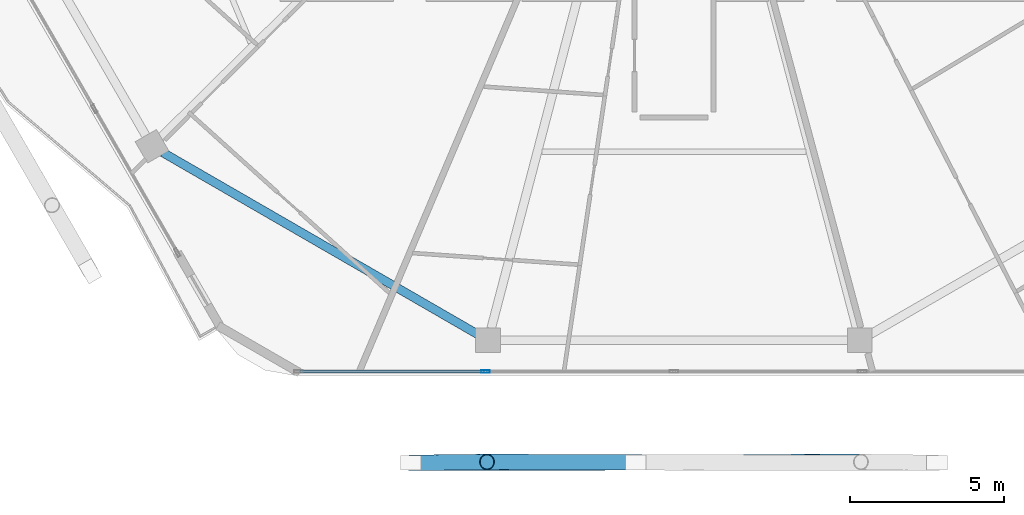
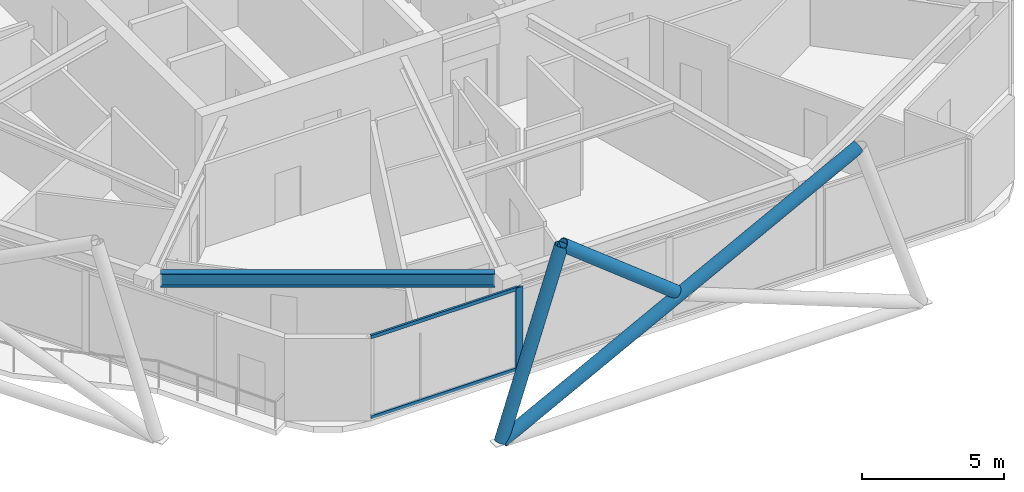
# One storey, part 3 of 23: 6 members, 1 beam, 1 element without a shape of its own.
"""IFC4 building model written with IfcOpenShell, lengths in metres."""

from ifc_helpers import new_model, si_unit, direction, frame, origin, origin_2d, place, context, subcontext, project, spatial, hollow_rectangle, hollow_circle, i_section, extrude, material, material_profile, profile_set, type_object, element, aggregate, save


model = new_model("IFC4")

# Units and contexts
model_context = context("Model", 3, precision=1e-05, world=origin(), true_north=direction((0.0, 1.0)))
body_context = subcontext(model_context, "Body", "Model", "MODEL_VIEW")
ifc_project = project(units=[si_unit("LENGTHUNIT", "METRE"), si_unit("AREAUNIT", "SQUARE_METRE"), si_unit("VOLUMEUNIT", "CUBIC_METRE"), si_unit("PLANEANGLEUNIT", "RADIAN"), si_unit("MASSUNIT", "GRAM", prefix="KILO")], contexts=[model_context])

# Site, building, storey
site_placement = place(None, origin())
site = spatial("IfcSite", under=ifc_project, at=site_placement, CompositionType="ELEMENT")
building_placement = place(site_placement, origin())
building = spatial("IfcBuilding", under=site, at=building_placement, Name="Zuhravey Tower", CompositionType="ELEMENT")
storey_placement = place(building_placement, frame((0.0, 0.0, 331.0)))
storey = spatial("IfcBuildingStorey", under=building, at=storey_placement, Name="L84", CompositionType="ELEMENT", Elevation=331.0)

# Curtain wall, members
ifc_material_1 = material(Name="Thermally broken anodised aluminium", Category="aluminium")
curtain_wall_type = type_object("IfcCurtainWallType", Name="Zone 3-4 High-Rise Curtain Wall CW4", PredefinedType="NOTDEFINED", material=ifc_material_1)
curtain_wall_placement = place(storey_placement, origin())
curtain_wall = element("IfcCurtainWall", 1, at=curtain_wall_placement, inside=storey, type_object=curtain_wall_type, Name="L84 CW4 CW-L84-F5-1", PredefinedType="NOTDEFINED")
ifc_material_2 = material(Name="Anodised aluminium", Category="aluminium")
ifc_material_profile_1 = material_profile(ifc_material_2, hollow_rectangle(XDim=0.090087890625, YDim=0.284912109375, WallThickness=0.0048828125, at=origin_2d()), Name="ALU-RHS-90x285x5")
ifc_profile_set_1 = profile_set([ifc_material_profile_1], Name="Anodised aluminium")
member_type_1 = type_object("IfcMemberType", Name="Curtain-Wall Mullion 90x180", PredefinedType="MULLION", material=ifc_profile_set_1)
member_1_placement = place(storey_placement, frame((29.88037109375, 7.92578125, 0.0), z_axis=(0.0, 0.0, 1.0), x_axis=(0.0, -1.0, 0.0)))
member_1 = element("IfcMember", 2, at=member_1_placement, type_object=member_type_1, Name="CW4 mullion 4", PredefinedType="MULLION", context=body_context, shape_type="SweptSolid", body=[
    extrude(hollow_rectangle(XDim=0.090087890625, YDim=0.284912109375, WallThickness=0.0048828125, at=origin_2d()), origin(), (0.0, 0.0, 1.0), 3.550048828125),
])
ifc_material_profile_2 = material_profile(ifc_material_2, hollow_rectangle(XDim=0.090087890625, YDim=0.14990234375, WallThickness=0.0048828125, at=origin_2d()), Name="ALU-RHS-90x150x5")
ifc_profile_set_2 = profile_set([ifc_material_profile_2], Name="Anodised aluminium")
member_type_2 = type_object("IfcMemberType", Name="Curtain-Wall Transom 90x150", PredefinedType="USERDEFINED", material=ifc_profile_set_2)
member_2_placement = place(storey_placement, frame((29.83544921875, 7.92578125, 0.044921875), z_axis=(-1.0, 0.0, 0.0), x_axis=(0.0, -1.0, 0.0)))
member_2 = element("IfcMember", 3, at=member_2_placement, type_object=member_type_2, Name="CW4 transom 4.1", ObjectType="TRANSOM", PredefinedType="USERDEFINED", context=body_context, shape_type="SweptSolid", body=[
    extrude(hollow_rectangle(XDim=0.090087890625, YDim=0.14990234375, WallThickness=0.0048828125, at=origin_2d()), origin(), (0.0, 0.0, 1.0), 5.98486328125),
])
member_3_placement = place(storey_placement, frame((29.83544921875, 7.92578125, 3.5048828125), z_axis=(-1.0, 0.0, 0.0), x_axis=(0.0, -1.0, 0.0)))
member_3 = element("IfcMember", 4, at=member_3_placement, type_object=member_type_2, Name="CW4 transom 4.2", ObjectType="TRANSOM", PredefinedType="USERDEFINED", context=body_context, shape_type="SweptSolid", body=[
    extrude(hollow_rectangle(XDim=0.090087890625, YDim=0.14990234375, WallThickness=0.0048828125, at=origin_2d()), origin(), (0.0, 0.0, 1.0), 5.98486328125),
])
aggregate(curtain_wall, [member_1, member_2, member_3])

# Members
ifc_material_3 = material(Name="Steel SM355", Category="steel")
ifc_material_profile_3 = material_profile(ifc_material_3, hollow_circle(Radius=0.25390625, WallThickness=0.02490234375, at=origin_2d()), Name="CHS-508.0x25")
ifc_profile_set_3 = profile_set([ifc_material_profile_3], Name="Steel SM355")
member_type_3 = type_object("IfcMemberType", Name="Exoskeleton Zone 4 Diagrid CHS508x25", PredefinedType="BRACE", material=ifc_profile_set_3)
member_4_placement = place(storey_placement, frame((27.455810546875, 4.9560546875, -0.447998046875), z_axis=(0.310451636696, 0.003741120079, 0.950581814098), x_axis=(-0.012049698022, 0.999927399753, 0.0)))
element("IfcMember", 5, at=member_4_placement, inside=storey, type_object=member_type_3, Name="L84 Face 5 Diagrid Brace 1", PredefinedType="BRACE", context=body_context, shape_type="SweptSolid", body=[
    extrude(hollow_circle(Radius=0.25390625, WallThickness=0.02490234375, at=origin_2d()), origin(), (0.0, 0.0, 1.0), 7.961669921875),
])
member_5_placement = place(storey_placement, frame((27.481201171875, 4.9560546875, -0.447998046875), z_axis=(0.887232881508, 0.001815569056, 0.461318239049), x_axis=(-0.002046323229, 0.999997906278, 0.0)))
element("IfcMember", 6, at=member_5_placement, inside=storey, type_object=member_type_3, Name="L84 Face 5 Diagrid Brace 2", PredefinedType="BRACE", context=body_context, shape_type="SweptSolid", body=[
    extrude(hollow_circle(Radius=0.25390625, WallThickness=0.02490234375, at=origin_2d()), origin(), (0.0, 0.0, 1.0), 16.405517578125),
])
member_6_placement = place(storey_placement, frame((34.567138671875, 4.971435546875, 3.487060546875), z_axis=(-0.785692881765, 0.002456461238, 0.618611882638), x_axis=(-0.003126475102, -0.999995112565, 0.0)))
element("IfcMember", 7, at=member_6_placement, inside=storey, type_object=member_type_3, Name="L84 Face 5 Split Diagrid Brace 3B", PredefinedType="BRACE", context=body_context, shape_type="SweptSolid", body=[
    extrude(hollow_circle(Radius=0.25390625, WallThickness=0.02490234375, at=origin_2d()), origin(), (0.0, 0.0, 1.0), 5.86376953125),
])

# Beam
ifc_material_profile_4 = material_profile(ifc_material_3, i_section(OverallWidth=0.280029296875, OverallDepth=0.580078125, WebThickness=0.011962890625, FlangeThickness=0.01904296875, at=origin_2d()), Name="H-580x280x12x19")
ifc_profile_set_4 = profile_set([ifc_material_profile_4], Name="Steel SM355")
beam_type = type_object("IfcBeamType", Name="Perimeter Ring Beam H580x280", PredefinedType="BEAM", material=ifc_profile_set_4)
beam_placement = place(storey_placement, frame((19.394287109375, 15.036865234375, 3.260009765625), z_axis=(0.866023977509, -0.500002470373, 0.0), x_axis=(0.500002470373, 0.866023977509, 0.0)))
element("IfcBeam", 8, at=beam_placement, inside=storey, type_object=beam_type, Name="L84 PB4 BM-L84-PB-08", PredefinedType="BEAM", context=body_context, shape_type="SweptSolid", body=[
    extrude(i_section(OverallWidth=0.280029296875, OverallDepth=0.580078125, WebThickness=0.011962890625, FlangeThickness=0.01904296875, at=origin_2d()), origin(), (0.0, 0.0, 1.0), 11.798828125),
])

save(model, "model.ifc")
